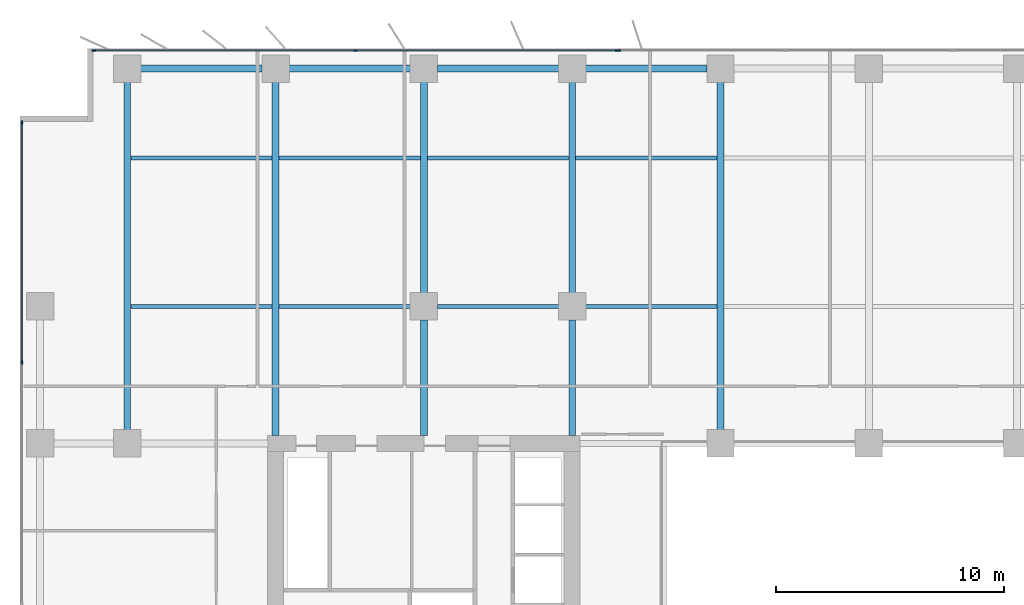
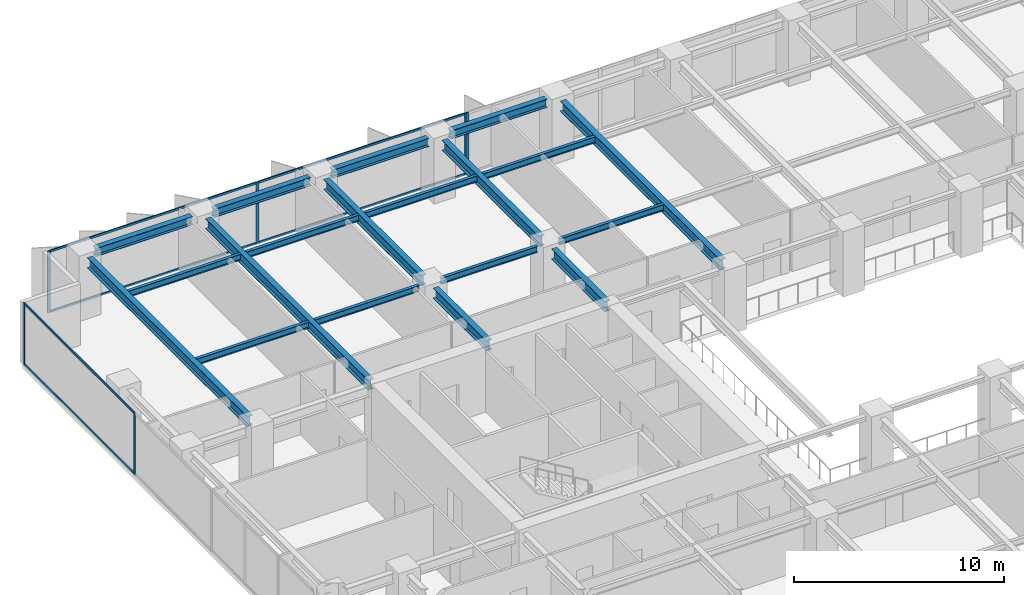
# One storey, part 7 of 20: 19 beams, 12 members, 3 elements without a shape of their own.
"""IFC4 building model written with IfcOpenShell, lengths in metres."""

from ifc_helpers import new_model, si_unit, direction, frame, origin, origin_2d, place, context, subcontext, project, spatial, rectangle, i_section, extrude, material, layer, layer_set, material_profile, profile_set, type_object, element, aggregate, save


model = new_model("IFC4")

# Units and contexts
model_context = context("Model", 3, precision=1e-05, world=origin(), true_north=direction((0.0, 1.0)))
body_context = subcontext(model_context, "Body", "Model", "MODEL_VIEW")
ifc_project = project(units=[si_unit("LENGTHUNIT", "METRE"), si_unit("AREAUNIT", "SQUARE_METRE"), si_unit("VOLUMEUNIT", "CUBIC_METRE"), si_unit("PLANEANGLEUNIT", "RADIAN"), si_unit("MASSUNIT", "GRAM", prefix="KILO")], contexts=[model_context])

# Site, building, storey
site_placement = place(None, origin())
site = spatial("IfcSite", under=ifc_project, at=site_placement, CompositionType="ELEMENT")
building_placement = place(site_placement, origin())
building = spatial("IfcBuilding", under=site, at=building_placement, Name="Putna Gate Headquarters", CompositionType="ELEMENT")
storey_placement = place(building_placement, frame((0.0, 0.0, 124.0)))
storey = spatial("IfcBuildingStorey", under=building, at=storey_placement, Name="L30", CompositionType="ELEMENT", Elevation=124.0)

# Beams
ifc_material_1 = material(Name="Steel S355J2", Category="steel")
ifc_material_profile_1 = material_profile(ifc_material_1, i_section(OverallWidth=0.300048828125, OverallDepth=0.60009765625, WebThickness=0.015380859375, FlangeThickness=0.030029296875, at=origin_2d()), Name="Steel S355J2")
ifc_profile_set_1 = profile_set([ifc_material_profile_1], Name="Steel S355J2")
beam_type_1 = type_object("IfcBeamType", Name="BM-GIRD-Z2-HEB600", PredefinedType="USERDEFINED", material=ifc_profile_set_1)
beam_1_placement = place(storey_placement, frame((6.5, 33.587890625, 3.264892578125), z_axis=(0.0, 1.0, 0.0), x_axis=(-1.0, 0.0, 0.0)))
element("IfcBeam", 1, at=beam_1_placement, inside=storey, type_object=beam_type_1, Name="L30 North Primary Girder X6", ObjectType="GIRDER", PredefinedType="USERDEFINED", context=body_context, shape_type="SweptSolid", body=[
    extrude(i_section(OverallWidth=0.300048828125, OverallDepth=0.60009765625, WebThickness=0.015380859375, FlangeThickness=0.030029296875, at=origin_2d()), origin(), (0.0, 0.0, 1.0), 15.244140625),
])
beam_2_placement = place(storey_placement, frame((13.0, 33.3349609375, 3.264892578125), z_axis=(0.0, 1.0, 0.0), x_axis=(-1.0, 0.0, 0.0)))
element("IfcBeam", 2, at=beam_2_placement, inside=storey, type_object=beam_type_1, Name="L30 North Primary Girder X13", ObjectType="GIRDER", PredefinedType="USERDEFINED", context=body_context, shape_type="SweptSolid", body=[
    extrude(i_section(OverallWidth=0.300048828125, OverallDepth=0.60009765625, WebThickness=0.015380859375, FlangeThickness=0.030029296875, at=origin_2d()), origin(), (0.0, 0.0, 1.0), 15.4970703125),
])
beam_3_placement = place(storey_placement, frame((19.5, 33.3349609375, 3.264892578125), z_axis=(0.0, 1.0, 0.0), x_axis=(-1.0, 0.0, 0.0)))
element("IfcBeam", 3, at=beam_3_placement, inside=storey, type_object=beam_type_1, Name="L30 North Primary Girder X19-1", ObjectType="GIRDER", PredefinedType="USERDEFINED", context=body_context, shape_type="SweptSolid", body=[
    extrude(i_section(OverallWidth=0.300048828125, OverallDepth=0.60009765625, WebThickness=0.015380859375, FlangeThickness=0.030029296875, at=origin_2d()), origin(), (0.0, 0.0, 1.0), 5.0771484375),
])
beam_4_placement = place(storey_placement, frame((19.5, 39.587890625, 3.264892578125), z_axis=(0.0, 1.0, 0.0), x_axis=(-1.0, 0.0, 0.0)))
element("IfcBeam", 4, at=beam_4_placement, inside=storey, type_object=beam_type_1, Name="L30 North Primary Girder X19-2", ObjectType="GIRDER", PredefinedType="USERDEFINED", context=body_context, shape_type="SweptSolid", body=[
    extrude(i_section(OverallWidth=0.300048828125, OverallDepth=0.60009765625, WebThickness=0.015380859375, FlangeThickness=0.030029296875, at=origin_2d()), origin(), (0.0, 0.0, 1.0), 9.244140625),
])
beam_5_placement = place(storey_placement, frame((26.0, 33.3349609375, 3.264892578125), z_axis=(0.0, 1.0, 0.0), x_axis=(-1.0, 0.0, 0.0)))
element("IfcBeam", 5, at=beam_5_placement, inside=storey, type_object=beam_type_1, Name="L30 North Primary Girder X26-1", ObjectType="GIRDER", PredefinedType="USERDEFINED", context=body_context, shape_type="SweptSolid", body=[
    extrude(i_section(OverallWidth=0.300048828125, OverallDepth=0.60009765625, WebThickness=0.015380859375, FlangeThickness=0.030029296875, at=origin_2d()), origin(), (0.0, 0.0, 1.0), 5.0771484375),
])
beam_6_placement = place(storey_placement, frame((26.0, 39.587890625, 3.264892578125), z_axis=(0.0, 1.0, 0.0), x_axis=(-1.0, 0.0, 0.0)))
element("IfcBeam", 6, at=beam_6_placement, inside=storey, type_object=beam_type_1, Name="L30 North Primary Girder X26-2", ObjectType="GIRDER", PredefinedType="USERDEFINED", context=body_context, shape_type="SweptSolid", body=[
    extrude(i_section(OverallWidth=0.300048828125, OverallDepth=0.60009765625, WebThickness=0.015380859375, FlangeThickness=0.030029296875, at=origin_2d()), origin(), (0.0, 0.0, 1.0), 9.244140625),
])
beam_7_placement = place(storey_placement, frame((32.5, 33.587890625, 3.264892578125), z_axis=(0.0, 1.0, 0.0), x_axis=(-1.0, 0.0, 0.0)))
element("IfcBeam", 7, at=beam_7_placement, inside=storey, type_object=beam_type_1, Name="L30 North Primary Girder X32", ObjectType="GIRDER", PredefinedType="USERDEFINED", context=body_context, shape_type="SweptSolid", body=[
    extrude(i_section(OverallWidth=0.300048828125, OverallDepth=0.60009765625, WebThickness=0.015380859375, FlangeThickness=0.030029296875, at=origin_2d()), origin(), (0.0, 0.0, 1.0), 15.244140625),
])
ifc_material_profile_2 = material_profile(ifc_material_1, i_section(OverallWidth=0.169921875, OverallDepth=0.360107421875, WebThickness=0.008056640625, FlangeThickness=0.0126953125, at=origin_2d()), Name="Steel S355J2")
ifc_profile_set_2 = profile_set([ifc_material_profile_2], Name="Steel S355J2")
beam_type_2 = type_object("IfcBeamType", Name="BM-SEC-Z2-IPE360", PredefinedType="BEAM", material=ifc_profile_set_2)
for number, where, z_axis, x_axis, name in (
    (8, (6.654052734375, 39.0, 3.385009765625), (1.0, 0.0, 0.0), (0.0, 1.0, 0.0), "L30 North Secondary Beam 1"),
    (9, (6.654052734375, 45.5, 3.385009765625), (1.0, 0.0, 0.0), (0.0, 1.0, 0.0), "L30 North Secondary Beam 1"),
):
    element("IfcBeam", number, at=place(storey_placement, frame(where, z_axis=z_axis, x_axis=x_axis)), inside=storey, type_object=beam_type_2, Name=name, PredefinedType="BEAM", context=body_context, shape_type="SweptSolid", body=[
        extrude(i_section(OverallWidth=0.169921875, OverallDepth=0.360107421875, WebThickness=0.008056640625, FlangeThickness=0.0126953125, at=origin_2d()), origin(), (0.0, 0.0, 1.0), 6.19189453125),
    ])
beam_8_placement = place(storey_placement, frame((13.154052734375, 39.0, 3.385009765625), z_axis=(1.0, 0.0, 0.0), x_axis=(0.0, 1.0, 0.0)))
element("IfcBeam", 10, at=beam_8_placement, inside=storey, type_object=beam_type_2, Name="L30 North Secondary Beam 2", PredefinedType="BEAM", context=body_context, shape_type="SweptSolid", body=[
    extrude(i_section(OverallWidth=0.169921875, OverallDepth=0.360107421875, WebThickness=0.008056640625, FlangeThickness=0.0126953125, at=origin_2d()), origin(), (0.0, 0.0, 1.0), 5.758056640625),
])
beam_9_placement = place(storey_placement, frame((13.154052734375, 45.5, 3.385009765625), z_axis=(1.0, 0.0, 0.0), x_axis=(0.0, 1.0, 0.0)))
element("IfcBeam", 11, at=beam_9_placement, inside=storey, type_object=beam_type_2, Name="L30 North Secondary Beam 2", PredefinedType="BEAM", context=body_context, shape_type="SweptSolid", body=[
    extrude(i_section(OverallWidth=0.169921875, OverallDepth=0.360107421875, WebThickness=0.008056640625, FlangeThickness=0.0126953125, at=origin_2d()), origin(), (0.0, 0.0, 1.0), 6.19189453125),
])
beam_10_placement = place(storey_placement, frame((20.087890625, 39.0, 3.385009765625), z_axis=(1.0, 0.0, 0.0), x_axis=(0.0, 1.0, 0.0)))
element("IfcBeam", 12, at=beam_10_placement, inside=storey, type_object=beam_type_2, Name="L30 North Secondary Beam 3", PredefinedType="BEAM", context=body_context, shape_type="SweptSolid", body=[
    extrude(i_section(OverallWidth=0.169921875, OverallDepth=0.360107421875, WebThickness=0.008056640625, FlangeThickness=0.0126953125, at=origin_2d()), origin(), (0.0, 0.0, 1.0), 5.32421875),
])
beam_11_placement = place(storey_placement, frame((19.654052734375, 45.5, 3.385009765625), z_axis=(1.0, 0.0, 0.0), x_axis=(0.0, 1.0, 0.0)))
element("IfcBeam", 13, at=beam_11_placement, inside=storey, type_object=beam_type_2, Name="L30 North Secondary Beam 3", PredefinedType="BEAM", context=body_context, shape_type="SweptSolid", body=[
    extrude(i_section(OverallWidth=0.169921875, OverallDepth=0.360107421875, WebThickness=0.008056640625, FlangeThickness=0.0126953125, at=origin_2d()), origin(), (0.0, 0.0, 1.0), 6.19189453125),
])
beam_12_placement = place(storey_placement, frame((26.587890625, 39.0, 3.385009765625), z_axis=(1.0, 0.0, 0.0), x_axis=(0.0, 1.0, 0.0)))
element("IfcBeam", 14, at=beam_12_placement, inside=storey, type_object=beam_type_2, Name="L30 North Secondary Beam 4", PredefinedType="BEAM", context=body_context, shape_type="SweptSolid", body=[
    extrude(i_section(OverallWidth=0.169921875, OverallDepth=0.360107421875, WebThickness=0.008056640625, FlangeThickness=0.0126953125, at=origin_2d()), origin(), (0.0, 0.0, 1.0), 5.758056640625),
])
beam_13_placement = place(storey_placement, frame((26.154052734375, 45.5, 3.385009765625), z_axis=(1.0, 0.0, 0.0), x_axis=(0.0, 1.0, 0.0)))
element("IfcBeam", 15, at=beam_13_placement, inside=storey, type_object=beam_type_2, Name="L30 North Secondary Beam 4", PredefinedType="BEAM", context=body_context, shape_type="SweptSolid", body=[
    extrude(i_section(OverallWidth=0.169921875, OverallDepth=0.360107421875, WebThickness=0.008056640625, FlangeThickness=0.0126953125, at=origin_2d()), origin(), (0.0, 0.0, 1.0), 6.19189453125),
])
ifc_material_profile_3 = material_profile(ifc_material_1, i_section(OverallWidth=0.300048828125, OverallDepth=0.489990234375, WebThickness=0.011962890625, FlangeThickness=0.02294921875, at=origin_2d()), Name="Steel S355J2")
ifc_profile_set_3 = profile_set([ifc_material_profile_3], Name="Steel S355J2")
beam_type_3 = type_object("IfcBeamType", Name="BM-SPAN-Z2-HEA500", PredefinedType="SPANDREL", material=ifc_profile_set_3)
for number, where, z_axis, x_axis, name in (
    (16, (7.087890625, 49.419921875, 3.320068359375), (1.0, 0.0, 0.0), (0.0, 1.0, 0.0), "L30 N Perimeter Spandrel 1"),
    (17, (13.587890625, 49.419921875, 3.320068359375), (1.0, 0.0, 0.0), (0.0, 1.0, 0.0), "L30 N Perimeter Spandrel 2"),
    (18, (20.087890625, 49.419921875, 3.320068359375), (1.0, 0.0, 0.0), (0.0, 1.0, 0.0), "L30 N Perimeter Spandrel 3"),
    (19, (26.587890625, 49.419921875, 3.320068359375), (1.0, 0.0, 0.0), (0.0, 1.0, 0.0), "L30 N Perimeter Spandrel 4"),
):
    element("IfcBeam", number, at=place(storey_placement, frame(where, z_axis=z_axis, x_axis=x_axis)), inside=storey, type_object=beam_type_3, Name=name, PredefinedType="SPANDREL", context=body_context, shape_type="SweptSolid", body=[
        extrude(i_section(OverallWidth=0.300048828125, OverallDepth=0.489990234375, WebThickness=0.011962890625, FlangeThickness=0.02294921875, at=origin_2d()), origin(), (0.0, 0.0, 1.0), 5.32421875),
    ])

# Curtain wall, members
ifc_material_2 = material(Name="Anodised bronze aluminium curtain wall", Category="aluminium")
ifc_layer_1 = layer(ifc_material_2, 0.159912109375)
ifc_layer_set_1 = layer_set([ifc_layer_1], Name="Anodised bronze aluminium curtain wall")
curtain_wall_type_1 = type_object("IfcCurtainWallType", Name="CW-SYS-Z2", PredefinedType="USERDEFINED", material=ifc_layer_set_1)
curtain_wall_1_placement = place(storey_placement, origin())
curtain_wall_1 = element("IfcCurtainWall", 20, at=curtain_wall_1_placement, inside=storey, type_object=curtain_wall_type_1, Name="L30 North West Curtain Wall", ObjectType="STICK CURTAIN WALL", PredefinedType="USERDEFINED")
ifc_material_3 = material(Name="Anodised bronze aluminium EN AW-6060", Category="aluminium")
ifc_material_profile_4 = material_profile(ifc_material_3, rectangle(XDim=0.06494140625, YDim=0.159912109375, at=origin_2d()), Name="Anodised bronze aluminium EN AW-6060")
ifc_profile_set_4 = profile_set([ifc_material_profile_4], Name="Anodised bronze aluminium EN AW-6060")
member_type_1 = type_object("IfcMemberType", Name="MULL-CWM-2", PredefinedType="MULLION", material=ifc_profile_set_4)
member_1_placement = place(storey_placement, frame((5.032470703125, 50.219970703125, 0.0), z_axis=(0.0, 0.0, 1.0), x_axis=(0.0, 1.0, 0.0)))
member_1 = element("IfcMember", 21, at=member_1_placement, type_object=member_type_1, Name="CWS-2 mullion 1", PredefinedType="MULLION", context=body_context, shape_type="SweptSolid", body=[
    extrude(rectangle(XDim=0.06494140625, YDim=0.159912109375, at=origin_2d()), origin(), (0.0, 0.0, 1.0), 3.56494140625),
])
member_2_placement = place(storey_placement, frame((16.5, 50.219970703125, 0.0), z_axis=(0.0, 0.0, 1.0), x_axis=(0.0, 1.0, 0.0)))
member_2 = element("IfcMember", 22, at=member_2_placement, type_object=member_type_1, Name="CWS-2 mullion 2", PredefinedType="MULLION", context=body_context, shape_type="SweptSolid", body=[
    extrude(rectangle(XDim=0.06494140625, YDim=0.159912109375, at=origin_2d()), origin(), (0.0, 0.0, 1.0), 3.56494140625),
])
member_3_placement = place(storey_placement, frame((27.967529296875, 50.219970703125, 0.0), z_axis=(0.0, 0.0, 1.0), x_axis=(0.0, 1.0, 0.0)))
member_3 = element("IfcMember", 23, at=member_3_placement, type_object=member_type_1, Name="CWS-2 mullion 3", PredefinedType="MULLION", context=body_context, shape_type="SweptSolid", body=[
    extrude(rectangle(XDim=0.06494140625, YDim=0.159912109375, at=origin_2d()), origin(), (0.0, 0.0, 1.0), 3.56494140625),
])

curtain_wall_2_placement = place(storey_placement, origin())
curtain_wall_2 = element("IfcCurtainWall", 24, at=curtain_wall_2_placement, inside=storey, type_object=curtain_wall_type_1, Name="L30 West Curtain Wall", ObjectType="STICK CURTAIN WALL", PredefinedType="USERDEFINED")
member_4_placement = place(storey_placement, frame((1.8798828125, 36.550048828125, 0.0), z_axis=(0.0, 0.0, 1.0), x_axis=(-1.0, 0.0, 0.0)))
member_4 = element("IfcMember", 25, at=member_4_placement, type_object=member_type_1, Name="CWS-2 mullion 4", PredefinedType="MULLION", context=body_context, shape_type="SweptSolid", body=[
    extrude(rectangle(XDim=0.06494140625, YDim=0.159912109375, at=origin_2d()), origin(), (0.0, 0.0, 1.0), 3.56494140625),
])
member_5_placement = place(storey_placement, frame((1.8798828125, 47.0673828125, 0.0), z_axis=(0.0, 0.0, 1.0), x_axis=(-1.0, 0.0, 0.0)))
member_5 = element("IfcMember", 26, at=member_5_placement, type_object=member_type_1, Name="CWS-2 mullion 5", PredefinedType="MULLION", context=body_context, shape_type="SweptSolid", body=[
    extrude(rectangle(XDim=0.06494140625, YDim=0.159912109375, at=origin_2d()), origin(), (0.0, 0.0, 1.0), 3.56494140625),
])

# Curtain wall, member
ifc_layer_2 = layer(ifc_material_2, 0.179931640625)
ifc_layer_set_2 = layer_set([ifc_layer_2], Name="Anodised bronze aluminium curtain wall")
curtain_wall_type_2 = type_object("IfcCurtainWallType", Name="CW-SYS-ATR", PredefinedType="USERDEFINED", material=ifc_layer_set_2)
curtain_wall_3_placement = place(storey_placement, origin())
curtain_wall_3 = element("IfcCurtainWall", 27, at=curtain_wall_3_placement, inside=storey, type_object=curtain_wall_type_2, Name="L30 North Atrium Clear Glazing", ObjectType="ATRIUM GLAZING", PredefinedType="USERDEFINED")
ifc_material_profile_5 = material_profile(ifc_material_3, rectangle(XDim=0.070068359375, YDim=0.179931640625, at=origin_2d()), Name="Anodised bronze aluminium EN AW-6060")
ifc_profile_set_5 = profile_set([ifc_material_profile_5], Name="Anodised bronze aluminium EN AW-6060")
member_type_2 = type_object("IfcMemberType", Name="MULL-CWM-AT", PredefinedType="MULLION", material=ifc_profile_set_5)
member_6_placement = place(storey_placement, frame((28.034912109375, 50.219970703125, 0.0), z_axis=(0.0, 0.0, 1.0), x_axis=(0.0, 1.0, 0.0)))
member_6 = element("IfcMember", 28, at=member_6_placement, type_object=member_type_2, Name="CWS-AT mullion 1", PredefinedType="MULLION", context=body_context, shape_type="SweptSolid", body=[
    extrude(rectangle(XDim=0.070068359375, YDim=0.179931640625, at=origin_2d()), origin(), (0.0, 0.0, 1.0), 3.56494140625),
])
aggregate(curtain_wall_3, [member_6])

# Member
ifc_material_profile_6 = material_profile(ifc_material_3, rectangle(XDim=0.06494140625, YDim=0.1201171875, at=origin_2d()), Name="Anodised bronze aluminium EN AW-6060")
ifc_profile_set_6 = profile_set([ifc_material_profile_6], Name="Anodised bronze aluminium EN AW-6060")
member_type_3 = type_object("IfcMemberType", Name="TRAN-CWT-2", PredefinedType="USERDEFINED", material=ifc_profile_set_6)
member_7_placement = place(storey_placement, frame((5.06494140625, 50.219970703125, 0.032470703125), z_axis=(1.0, 0.0, 0.0), x_axis=(0.0, 1.0, 0.0)))
member_7 = element("IfcMember", 29, at=member_7_placement, type_object=member_type_3, Name="CWS-2 transom 1.1", ObjectType="TRANSOM", PredefinedType="USERDEFINED", context=body_context, shape_type="SweptSolid", body=[
    extrude(rectangle(XDim=0.06494140625, YDim=0.1201171875, at=origin_2d()), origin(), (0.0, 0.0, 1.0), 11.402587890625),
])

member_8_placement = place(storey_placement, frame((5.06494140625, 50.219970703125, 3.532470703125), z_axis=(1.0, 0.0, 0.0), x_axis=(0.0, 1.0, 0.0)))
member_8 = element("IfcMember", 30, at=member_8_placement, type_object=member_type_3, Name="CWS-2 transom 1.2", ObjectType="TRANSOM", PredefinedType="USERDEFINED", context=body_context, shape_type="SweptSolid", body=[
    extrude(rectangle(XDim=0.06494140625, YDim=0.1201171875, at=origin_2d()), origin(), (0.0, 0.0, 1.0), 11.402587890625),
])

member_9_placement = place(storey_placement, frame((16.532470703125, 50.219970703125, 0.032470703125), z_axis=(1.0, 0.0, 0.0), x_axis=(0.0, 1.0, 0.0)))
member_9 = element("IfcMember", 31, at=member_9_placement, type_object=member_type_3, Name="CWS-2 transom 2.1", ObjectType="TRANSOM", PredefinedType="USERDEFINED", context=body_context, shape_type="SweptSolid", body=[
    extrude(rectangle(XDim=0.06494140625, YDim=0.1201171875, at=origin_2d()), origin(), (0.0, 0.0, 1.0), 11.402587890625),
])

member_10_placement = place(storey_placement, frame((16.532470703125, 50.219970703125, 3.532470703125), z_axis=(1.0, 0.0, 0.0), x_axis=(0.0, 1.0, 0.0)))
member_10 = element("IfcMember", 32, at=member_10_placement, type_object=member_type_3, Name="CWS-2 transom 2.2", ObjectType="TRANSOM", PredefinedType="USERDEFINED", context=body_context, shape_type="SweptSolid", body=[
    extrude(rectangle(XDim=0.06494140625, YDim=0.1201171875, at=origin_2d()), origin(), (0.0, 0.0, 1.0), 11.402587890625),
])

aggregate(curtain_wall_1, [member_1, member_2, member_3, member_7, member_8, member_9, member_10])

member_11_placement = place(storey_placement, frame((1.8798828125, 36.58251953125, 0.032470703125), z_axis=(0.0, 1.0, 0.0), x_axis=(-1.0, 0.0, 0.0)))
member_11 = element("IfcMember", 33, at=member_11_placement, type_object=member_type_3, Name="CWS-2 transom 4.1", ObjectType="TRANSOM", PredefinedType="USERDEFINED", context=body_context, shape_type="SweptSolid", body=[
    extrude(rectangle(XDim=0.06494140625, YDim=0.1201171875, at=origin_2d()), origin(), (0.0, 0.0, 1.0), 10.452392578125),
])

member_12_placement = place(storey_placement, frame((1.8798828125, 36.58251953125, 3.532470703125), z_axis=(0.0, 1.0, 0.0), x_axis=(-1.0, 0.0, 0.0)))
member_12 = element("IfcMember", 34, at=member_12_placement, type_object=member_type_3, Name="CWS-2 transom 4.2", ObjectType="TRANSOM", PredefinedType="USERDEFINED", context=body_context, shape_type="SweptSolid", body=[
    extrude(rectangle(XDim=0.06494140625, YDim=0.1201171875, at=origin_2d()), origin(), (0.0, 0.0, 1.0), 10.452392578125),
])

aggregate(curtain_wall_2, [member_4, member_5, member_11, member_12])

save(model, "model.ifc")
